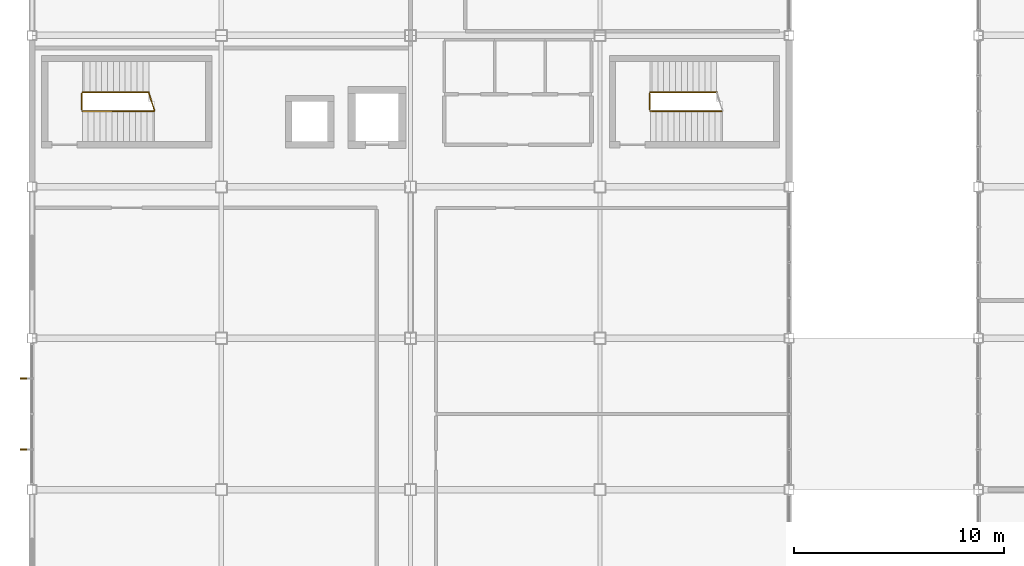
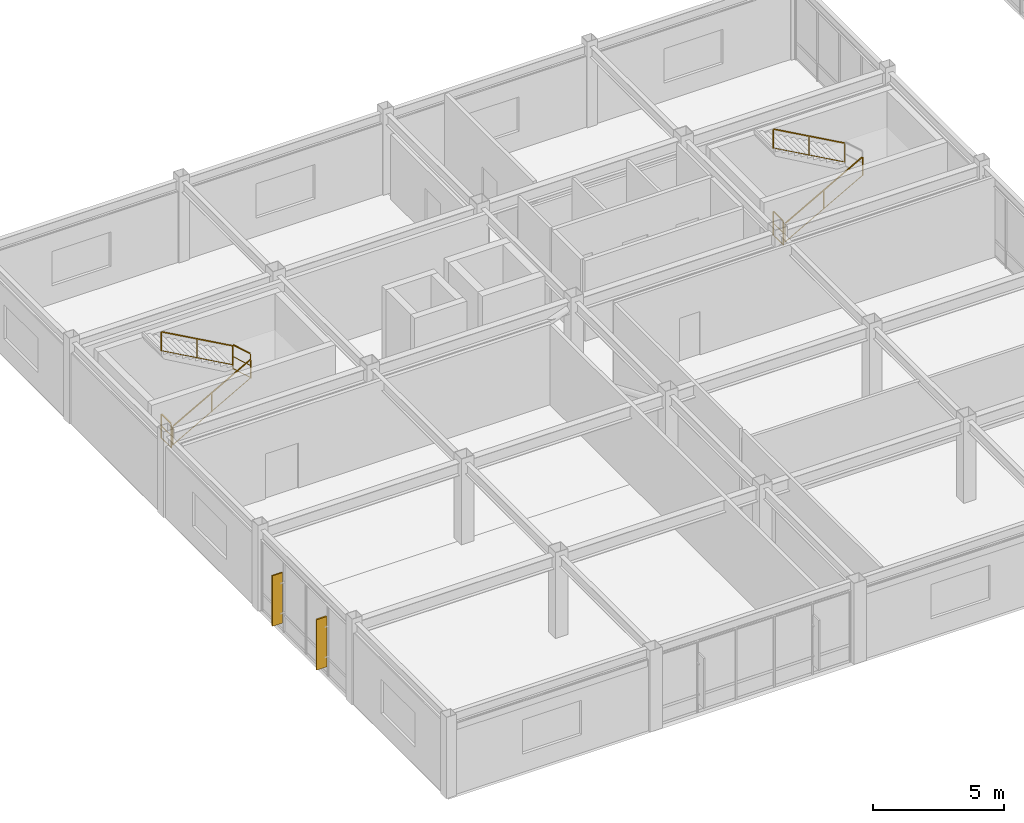
# One storey, part 110 of 113: 7 railings, 2 shading devices.
"""IFC4 building model written with IfcOpenShell, lengths in metres."""

from ifc_helpers import new_model, si_unit, direction, frame, origin, origin_2d, place, context, subcontext, project, spatial, rectangle, extrude, material, type_object, element, save


model = new_model("IFC4")

# Units and contexts
model_context = context("Model", 3, precision=1e-05, world=origin(), true_north=direction((0.0, 1.0)))
body_context = subcontext(model_context, "Body", "Model", "MODEL_VIEW")
ifc_project = project(units=[si_unit("LENGTHUNIT", "METRE"), si_unit("AREAUNIT", "SQUARE_METRE"), si_unit("VOLUMEUNIT", "CUBIC_METRE"), si_unit("PLANEANGLEUNIT", "RADIAN"), si_unit("MASSUNIT", "GRAM", prefix="KILO")], contexts=[model_context])

# Site, building, storey
site_placement = place(None, origin())
site = spatial("IfcSite", under=ifc_project, at=site_placement, CompositionType="ELEMENT")
building_placement = place(site_placement, origin())
building = spatial("IfcBuilding", under=site, at=building_placement, Name="Kazanami Central Library", CompositionType="ELEMENT")
storey_placement = place(building_placement, frame((0.0, 0.0, 8.800048828125)))
storey = spatial("IfcBuildingStorey", under=building, at=storey_placement, Name="L03", CompositionType="ELEMENT", Elevation=8.800048828125)

# Railings
ifc_material_1 = material(Name="Stainless Steel SUS304", Category="steel")
railing_type_1 = type_object("IfcRailingType", Name="RAL-GR-S1", PredefinedType="GUARDRAIL", material=ifc_material_1)
railing_1_placement = place(storey_placement, frame((2.360107421875, 82.8701171875, 0.0)))
element("IfcRailing", 1, at=railing_1_placement, inside=storey, type_object=railing_type_1, Name="Stair Well Guard ST-05 L03", PredefinedType="GUARDRAIL", context=body_context, shape_type="SweptSolid", body=[
    extrude(rectangle(XDim=0.0439453125, YDim=0.0439453125, at=origin_2d()), frame((0.0, 0.02587890625, 1.1279296875), z_axis=(0.0, 1.0, 0.0), x_axis=(-1.0, 0.0, 0.0)), (0.0, 0.0, 1.0), 0.707763671875),
    extrude(rectangle(XDim=0.02392578125, YDim=0.02392578125, at=origin_2d()), frame((0.0, 0.02587890625, 0.015869140625), z_axis=(0.0, 1.0, 0.0), x_axis=(-1.0, 0.0, 0.0)), (0.0, 0.0, 1.0), 0.707763671875),
    extrude(rectangle(XDim=0.02392578125, YDim=0.02392578125, at=origin_2d()), frame((0.0, 0.02587890625, 0.574951171875), z_axis=(0.0, 1.0, 0.0), x_axis=(-1.0, 0.0, 0.0)), (0.0, 0.0, 1.0), 0.707763671875),
    extrude(rectangle(XDim=0.035888671875, YDim=0.035888671875, at=origin_2d()), origin(), (0.0, 0.0, 1.0), 1.10205078125),
    extrude(rectangle(XDim=0.035888671875, YDim=0.035888671875, at=origin_2d()), frame((0.0, 0.759765625, 0.0)), (0.0, 0.0, 1.0), 1.10205078125),
])
railing_2_placement = place(storey_placement, frame((5.827880859375, 82.820068359375, 2.079833984375)))
element("IfcRailing", 2, at=railing_2_placement, inside=storey, type_object=railing_type_1, Name="Half-Landing Well Guard ST-05 L03", PredefinedType="GUARDRAIL", context=body_context, shape_type="SweptSolid", body=[
    extrude(rectangle(XDim=0.0439453125, YDim=0.0439453125, at=origin_2d()), frame((-0.008056640625, 0.024658203125, 1.1279296875), z_axis=(-0.309415726998, 0.950926867791, 0.0), x_axis=(-0.950926867791, -0.309415726998, 0.0)), (0.0, 0.0, 1.0), 0.852294921875),
    extrude(rectangle(XDim=0.02392578125, YDim=0.02392578125, at=origin_2d()), frame((-0.008056640625, 0.024658203125, 0.015869140625), z_axis=(-0.309415726998, 0.950926867791, 0.0), x_axis=(-0.950926867791, -0.309415726998, 0.0)), (0.0, 0.0, 1.0), 0.852294921875),
    extrude(rectangle(XDim=0.02392578125, YDim=0.02392578125, at=origin_2d()), frame((-0.008056640625, 0.024658203125, 0.574951171875), z_axis=(-0.309415726998, 0.950926867791, 0.0), x_axis=(-0.950926867791, -0.309415726998, 0.0)), (0.0, 0.0, 1.0), 0.852294921875),
    extrude(rectangle(XDim=0.035888671875, YDim=0.035888671875, at=origin_2d()), origin(), (0.0, 0.0, 1.0), 1.10205078125),
    extrude(rectangle(XDim=0.035888671875, YDim=0.035888671875, at=origin_2d()), frame((-0.27978515625, 0.85986328125, 0.0)), (0.0, 0.0, 1.0), 1.10205078125),
])
railing_3_placement = place(storey_placement, frame((29.360107421875, 82.8701171875, 0.0)))
element("IfcRailing", 3, at=railing_3_placement, inside=storey, type_object=railing_type_1, Name="Stair Well Guard ST-06 L03", PredefinedType="GUARDRAIL", context=body_context, shape_type="SweptSolid", body=[
    extrude(rectangle(XDim=0.0439453125, YDim=0.0439453125, at=origin_2d()), frame((0.0, 0.02587890625, 1.1279296875), z_axis=(0.0, 1.0, 0.0), x_axis=(-1.0, 0.0, 0.0)), (0.0, 0.0, 1.0), 0.707763671875),
    extrude(rectangle(XDim=0.02392578125, YDim=0.02392578125, at=origin_2d()), frame((0.0, 0.02587890625, 0.015869140625), z_axis=(0.0, 1.0, 0.0), x_axis=(-1.0, 0.0, 0.0)), (0.0, 0.0, 1.0), 0.707763671875),
    extrude(rectangle(XDim=0.02392578125, YDim=0.02392578125, at=origin_2d()), frame((0.0, 0.02587890625, 0.574951171875), z_axis=(0.0, 1.0, 0.0), x_axis=(-1.0, 0.0, 0.0)), (0.0, 0.0, 1.0), 0.707763671875),
    extrude(rectangle(XDim=0.035888671875, YDim=0.035888671875, at=origin_2d()), origin(), (0.0, 0.0, 1.0), 1.10205078125),
    extrude(rectangle(XDim=0.035888671875, YDim=0.035888671875, at=origin_2d()), frame((0.0, 0.759765625, 0.0)), (0.0, 0.0, 1.0), 1.10205078125),
])
railing_type_2 = type_object("IfcRailingType", Name="RAL-HR-01", PredefinedType="HANDRAIL", material=ifc_material_1)
for number, where, name in (
    (4, (2.39404296875, 82.800048828125, 0.159912109375), "Stair Handrail ST-05 Flight 1 (L03)"),
    (5, (29.39404296875, 82.800048828125, 0.159912109375), "Stair Handrail ST-06 Flight 1 (L03)"),
):
    element("IfcRailing", number, at=place(storey_placement, frame(where)), inside=storey, type_object=railing_type_2, Name=name, PredefinedType="HANDRAIL", context=body_context, shape_type="SweptSolid", body=[
        extrude(rectangle(XDim=0.0439453125, YDim=0.0439453125, at=origin_2d()), frame((0.022705078125, 0.0, 0.890625), z_axis=(0.872833868075, 0.0, 0.488017457415), x_axis=(0.0, 1.0, 0.0)), (0.0, 0.0, 1.0), 3.882080078125),
        extrude(rectangle(XDim=0.02392578125, YDim=0.02392578125, at=origin_2d()), frame((0.022705078125, 0.0, 0.028564453125), z_axis=(0.872833868075, 0.0, 0.488017457415), x_axis=(0.0, 1.0, 0.0)), (0.0, 0.0, 1.0), 3.882080078125),
        extrude(rectangle(XDim=0.035888671875, YDim=0.035888671875, at=origin_2d()), origin(), (0.0, 0.0, 1.0), 0.85205078125),
        extrude(rectangle(XDim=0.035888671875, YDim=0.035888671875, at=origin_2d()), frame((1.716796875, 0.0, 0.9599609375)), (0.0, 0.0, 1.0), 0.85205078125),
        extrude(rectangle(XDim=0.035888671875, YDim=0.035888671875, at=origin_2d()), frame((3.433837890625, 0.0, 1.919921875)), (0.0, 0.0, 1.0), 0.85205078125),
    ])
railing_type_3 = type_object("IfcRailingType", Name="RAL-HR-02", PredefinedType="HANDRAIL", material=ifc_material_1)
for number, where, name in (
    (6, (5.553955078125, 83.699951171875, 2.239990234375), "Stair Handrail ST-05 Flight 2 (L03)"),
    (7, (32.553955078125, 83.699951171875, 2.239990234375), "Stair Handrail ST-06 Flight 2 (L03)"),
):
    element("IfcRailing", number, at=place(storey_placement, frame(where)), inside=storey, type_object=railing_type_3, Name=name, PredefinedType="HANDRAIL", context=body_context, shape_type="SweptSolid", body=[
        extrude(rectangle(XDim=0.0439453125, YDim=0.0439453125, at=origin_2d()), frame((-0.022705078125, 0.0, 0.91064453125), z_axis=(-0.873243856975, 0.0, 0.487283455758), x_axis=(0.0, -1.0, 0.0)), (0.0, 0.0, 1.0), 3.559814453125),
        extrude(rectangle(XDim=0.02392578125, YDim=0.02392578125, at=origin_2d()), frame((-0.022705078125, 0.0, 0.028564453125), z_axis=(-0.873243856975, 0.0, 0.487283455758), x_axis=(0.0, -1.0, 0.0)), (0.0, 0.0, 1.0), 3.559814453125),
        extrude(rectangle(XDim=0.035888671875, YDim=0.035888671875, at=origin_2d()), origin(), (0.0, 0.0, 1.0), 0.8720703125),
        extrude(rectangle(XDim=0.035888671875, YDim=0.035888671875, at=origin_2d()), frame((-1.5771484375, 0.0, 0.8798828125)), (0.0, 0.0, 1.0), 0.8720703125),
        extrude(rectangle(XDim=0.035888671875, YDim=0.035888671875, at=origin_2d()), frame((-3.154052734375, 0.0, 1.760009765625)), (0.0, 0.0, 1.0), 0.8720703125),
    ])

# Shading devices
ifc_material_2 = material(Name="Anodised Bronze-Grey Aluminium A6063-T5", Category="aluminium")
shading_device_type = type_object("IfcShadingDeviceType", Name="SHD-FIN-3", PredefinedType="USERDEFINED", material=ifc_material_2)
for number, where, z_axis, x_axis, name in (
    (8, (-0.344970703125, 66.71240234375, 0.472412109375), (0.0, 0.0, 1.0), (0.0, 1.0, 0.0), "Vertical Solar Fin SF-03 L03 W-1-09.1"),
    (9, (-0.344970703125, 70.08740234375, 0.472412109375), (0.0, 0.0, 1.0), (0.0, 1.0, 0.0), "Vertical Solar Fin SF-03 L03 W-1-09.2"),
):
    element("IfcShadingDevice", number, at=place(storey_placement, frame(where, z_axis=z_axis, x_axis=x_axis)), inside=storey, type_object=shading_device_type, Name=name, ObjectType="SOLAR FIN", PredefinedType="USERDEFINED", context=body_context, shape_type="SweptSolid", body=[
        extrude(rectangle(XDim=0.06494140625, YDim=0.449951171875, at=origin_2d()), origin(), (0.0, 0.0, 1.0), 2.35009765625),
    ])

save(model, "model.ifc")
